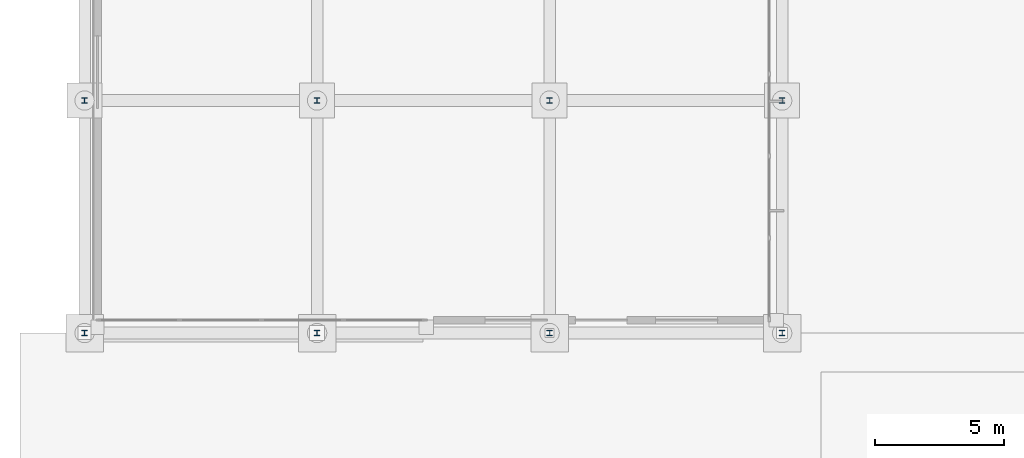
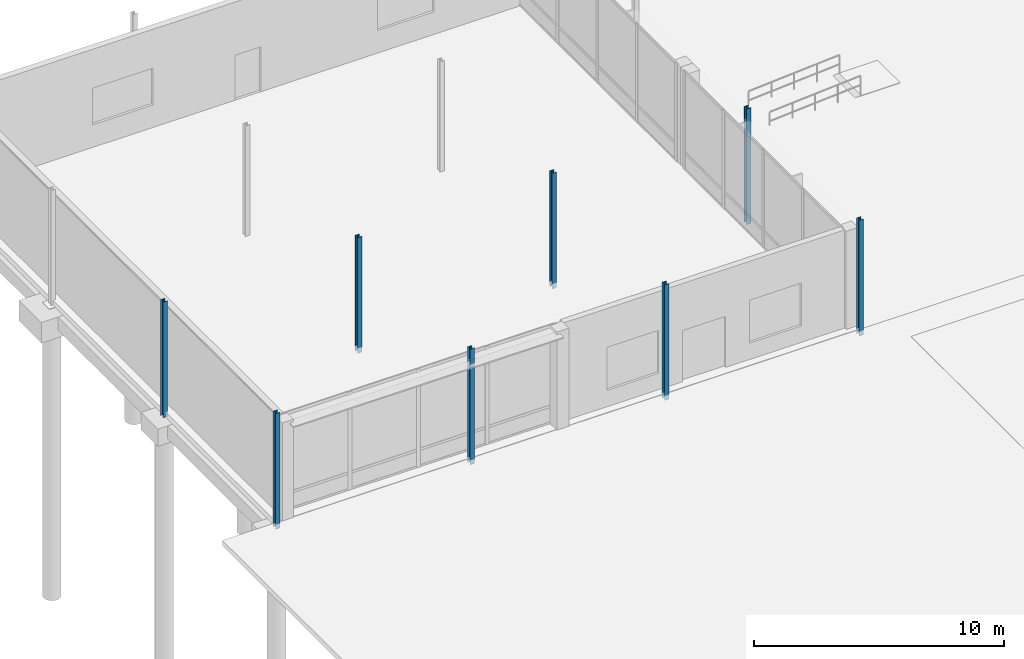
# One storey, part 16 of 180: 8 columns.
"""IFC4 building model written with IfcOpenShell, lengths in metres."""

from ifc_helpers import new_model, si_unit, direction, frame, origin, origin_2d, place, context, subcontext, project, spatial, i_section, extrude, material, material_profile, profile_set, type_object, element, save


model = new_model("IFC4")

# Units and contexts
model_context = context("Model", 3, precision=1e-05, world=origin(), true_north=direction((0.0, 1.0)))
body_context = subcontext(model_context, "Body", "Model", "MODEL_VIEW")
ifc_project = project(units=[si_unit("LENGTHUNIT", "METRE"), si_unit("AREAUNIT", "SQUARE_METRE"), si_unit("VOLUMEUNIT", "CUBIC_METRE"), si_unit("PLANEANGLEUNIT", "RADIAN"), si_unit("MASSUNIT", "GRAM", prefix="KILO"), si_unit("THERMODYNAMICTEMPERATUREUNIT", "KELVIN"), si_unit("POWERUNIT", "WATT")], contexts=[model_context])

# Site, building, storey
site_placement = place(None, origin())
site = spatial("IfcSite", under=ifc_project, at=site_placement, CompositionType="ELEMENT")
building_placement = place(site_placement, origin())
building = spatial("IfcBuilding", under=site, at=building_placement, Name="Tallowbark Science Centre", CompositionType="ELEMENT")
storey_placement = place(building_placement, origin())
storey = spatial("IfcBuildingStorey", under=building, at=storey_placement, Name="L00", CompositionType="ELEMENT", Elevation=0.0)

# Columns
ifc_material = material(Name="Structural Steel Grade 300PLUS (300 MPa)", Category="steel")
ifc_material_profile = material_profile(ifc_material, i_section(OverallWidth=0.205078125, OverallDepth=0.209716796875, WebThickness=0.00927734375, FlangeThickness=0.01416015625, FilletRadius=0.011474609375, at=origin_2d()), Name="200UC59.5")
ifc_profile_set = profile_set([ifc_material_profile], Name="Structural Steel Grade 300PLUS (300 MPa)")
column_type = type_object("IfcColumnType", Name="COL-UC200", PredefinedType="COLUMN", material=ifc_profile_set)
for number, where, z_axis, x_axis, name in (
    (1, (0.0, 81.0, -0.260009765625), (0.0, 0.0, 1.0), (1.0, 0.0, 0.0), "Column PRK-0_0 L00"),
    (2, (0.0, 90.0, -0.260009765625), (0.0, 0.0, 1.0), (1.0, 0.0, 0.0), "Column PRK-0_1 L00"),
    (3, (9.0, 81.0, -0.260009765625), (0.0, 0.0, 1.0), (1.0, 0.0, 0.0), "Column PRK-1_0 L00"),
    (4, (9.0, 90.0, -0.260009765625), (0.0, 0.0, 1.0), (1.0, 0.0, 0.0), "Column PRK-1_1 L00"),
    (5, (18.0, 81.0, -0.260009765625), (0.0, 0.0, 1.0), (1.0, 0.0, 0.0), "Column PRK-2_0 L00"),
    (6, (18.0, 90.0, -0.260009765625), (0.0, 0.0, 1.0), (1.0, 0.0, 0.0), "Column PRK-2_1 L00"),
    (7, (27.0, 81.0, -0.260009765625), (0.0, 0.0, 1.0), (1.0, 0.0, 0.0), "Column PRK-3_0 L00"),
    (8, (27.0, 90.0, -0.260009765625), (0.0, 0.0, 1.0), (1.0, 0.0, 0.0), "Column PRK-3_1 L00"),
):
    element("IfcColumn", number, at=place(storey_placement, frame(where, z_axis=z_axis, x_axis=x_axis)), inside=storey, type_object=column_type, Name=name, PredefinedType="COLUMN", context=body_context, shape_type="SweptSolid", body=[
        extrude(i_section(OverallWidth=0.205078125, OverallDepth=0.209716796875, WebThickness=0.00927734375, FlangeThickness=0.01416015625, FilletRadius=0.011474609375, at=origin_2d()), origin(), (0.0, 0.0, 1.0), 5.659912109375),
    ])

save(model, "model.ifc")
